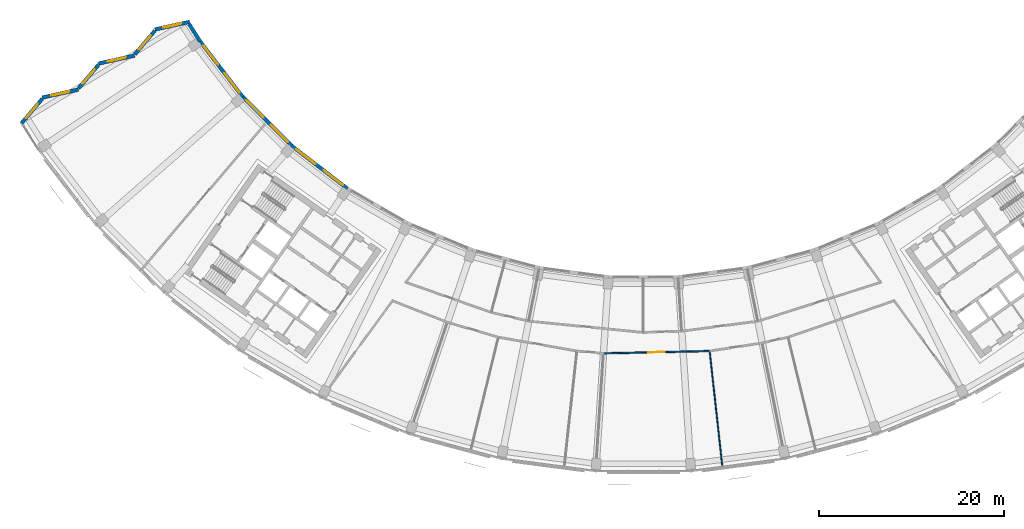
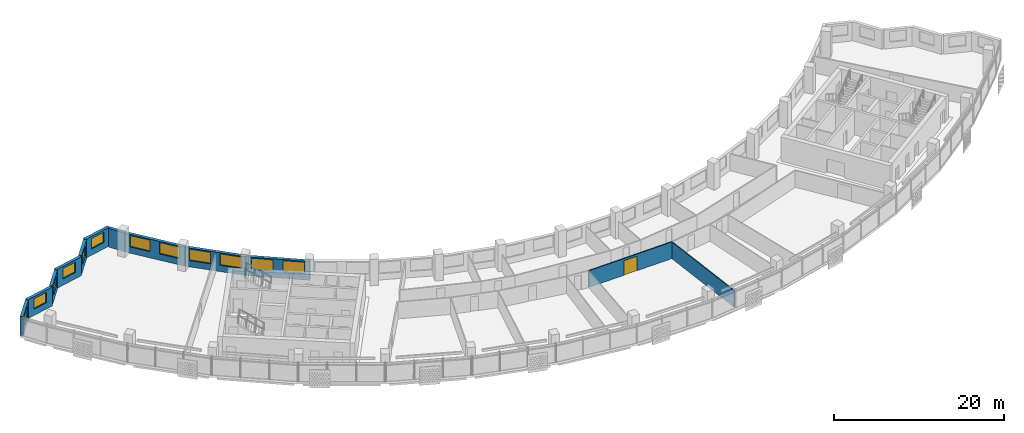
# One storey, part 5 of 28: 12 walls, 12 windows, 1 door, 13 openings.
"""IFC4 building model written with IfcOpenShell, lengths in metres."""

from ifc_helpers import new_model, si_unit, direction, frame, frame_2d, origin, place, context, subcontext, project, spatial, rectangle, extrude, material, layer, layer_set, type_object, element, fill, save


model = new_model("IFC4")

# Units and contexts
model_context = context("Model", 3, precision=1e-05, world=origin(), true_north=direction((0.0, 1.0)))
body_context = subcontext(model_context, "Body", "Model", "MODEL_VIEW")
ifc_project = project(units=[si_unit("LENGTHUNIT", "METRE"), si_unit("AREAUNIT", "SQUARE_METRE"), si_unit("VOLUMEUNIT", "CUBIC_METRE"), si_unit("PLANEANGLEUNIT", "RADIAN"), si_unit("MASSUNIT", "GRAM", prefix="KILO")], contexts=[model_context])

# Site, building, storey
site_placement = place(None, origin())
site = spatial("IfcSite", under=ifc_project, at=site_placement, CompositionType="ELEMENT")
building_placement = place(site_placement, origin())
building = spatial("IfcBuilding", under=site, at=building_placement, Name="Qamariyya Broadcast Tower", CompositionType="ELEMENT")
storey_placement = place(building_placement, frame((0.0, 0.0, 245.5)))
storey = spatial("IfcBuildingStorey", under=building, at=storey_placement, Name="L59", CompositionType="ELEMENT", Elevation=245.5)

# Wall, opening, door
ifc_material_1 = material(Name="Gypsum board partition")
ifc_layer_1 = layer(ifc_material_1, 0.14990234375)
ifc_layer_set_1 = layer_set([ifc_layer_1], Name="Corridor partition 150 EI 60")
wall_type_1 = type_object("IfcWallType", Name="Corridor partition 150 EI 60", PredefinedType="PARTITIONING", material=ifc_layer_set_1)
wall_1_placement = place(storey_placement, frame((7.16162109375, -65.4091796875, 0.0), z_axis=(0.0, 0.0, 1.0), x_axis=(-0.999762348583, -0.021800145758, 0.0)))
wall_1 = element("IfcWall", 1, at=wall_1_placement, inside=storey, type_object=wall_type_1, Name="Partition L59-017", PredefinedType="PARTITIONING", context=body_context, shape_type="SweptSolid", body=[
    extrude(rectangle(XDim=11.4677734375, YDim=0.14990234375, at=frame_2d((5.73388671875, 0.0))), origin(), (0.0, 0.0, 1.0), 2.39990234375),
])
opening_1_placement = place(wall_1_placement, frame((4.833984375, 0.0, 0.0)))
opening_1 = element("IfcOpeningElement", 2, at=opening_1_placement, cuts=wall_1, Name="Opening L59-D05", PredefinedType="OPENING", context=body_context, shape_type="SweptSolid", body=[
    extrude(rectangle(XDim=1.800048828125, YDim=2.10009765625, at=frame_2d((0.89990234375, 1.050048828125))), frame((0.0, 0.0849609375, 0.0), z_axis=(0.0, -1.0, 0.0), x_axis=(1.0, 0.0, 0.0)), (0.0, 0.0, 1.0), 0.169921875),
])
ifc_material_2 = material(Name="Timber fire door leaf", Category="wood")
door_type = type_object("IfcDoorType", Name="Double fire door 1800 x 2100 FD60", OperationType="NOTDEFINED", PredefinedType="DOOR", material=ifc_material_2)
door_placement = place(opening_1_placement, origin())
door = element("IfcDoor", 3, at=door_placement, inside=storey, type_object=door_type, Name="Door L59-D05", OperationType="DOUBLE_DOOR_SINGLE_SWING", OverallHeight=2.10009765625, OverallWidth=1.800048828125, PredefinedType="DOOR", context=body_context, shape_type="SweptSolid", body=[
    extrude(rectangle(XDim=1.800048828125, YDim=2.10009765625, at=frame_2d((0.89990234375, 1.050048828125))), frame((0.0, 0.02490234375, 0.0), z_axis=(0.0, -1.0, 0.0), x_axis=(1.0, 0.0, 0.0)), (0.0, 0.0, 1.0), 0.050048828125),
])
fill(opening_1, door)

# Wall
ifc_material_3 = material(Name="Operable acoustic wall panels")
ifc_layer_2 = layer(ifc_material_3, 0.125)
ifc_layer_set_2 = layer_set([ifc_layer_2], Name="Operable acoustic partition 125")
wall_type_2 = type_object("IfcWallType", Name="Operable acoustic partition 125", PredefinedType="MOVABLE", material=ifc_layer_set_2)
wall_2_placement = place(storey_placement, frame((8.522216796875, -77.835205078125, 0.0), z_axis=(0.0, 0.0, 1.0), x_axis=(-0.108852796, 0.994057880006, 0.0)))
element("IfcWall", 4, at=wall_2_placement, inside=storey, type_object=wall_type_2, Name="Operable partition L59-023", PredefinedType="MOVABLE", context=body_context, shape_type="SweptSolid", body=[
    extrude(rectangle(XDim=12.42529296875, YDim=0.125, at=frame_2d((6.212646484375, 0.0))), origin(), (0.0, 0.0, 1.0), 2.39990234375),
])

# Wall, opening, window
ifc_material_4 = material(Name="Terracotta", Category="masonry")
ifc_layer_3 = layer(ifc_material_4, 0.39990234375)
ifc_layer_set_3 = layer_set([ifc_layer_3], Name="Terracotta clad wall 400")
wall_type_3 = type_object("IfcWallType", Name="Terracotta clad wall 400", PredefinedType="SOLIDWALL", material=ifc_layer_set_3)
wall_3_placement = place(storey_placement, frame((-48.989013671875, -29.860107421875, 0.0), z_axis=(0.0, 0.0, 1.0), x_axis=(-0.976584020969, -0.215136352083, 0.0)))
wall_3 = element("IfcWall", 5, at=wall_3_placement, inside=storey, type_object=wall_type_3, Name="e-wl-L59-capW0", PredefinedType="SOLIDWALL", context=body_context, shape_type="SweptSolid", body=[
    extrude(rectangle(XDim=3.83349609375, YDim=0.39990234375, at=frame_2d((1.916748046875, 0.0))), origin(), (0.0, 0.0, 1.0), 2.699951171875),
])
opening_2_placement = place(wall_3_placement, frame((0.916748046875, 0.0, 0.89990234375)))
opening_2 = element("IfcOpeningElement", 6, at=opening_2_placement, cuts=wall_3, Name="Opening W4", PredefinedType="OPENING", context=body_context, shape_type="SweptSolid", body=[
    extrude(rectangle(XDim=2.0, YDim=1.5, at=frame_2d((1.0, 0.75))), frame((0.0, 0.2099609375, 0.0), z_axis=(0.0, -1.0, 0.0), x_axis=(1.0, 0.0, 0.0)), (0.0, 0.0, 1.0), 0.419921875),
])
ifc_material_5 = material(Name="Clear low-e double glazed unit in aluminium frame", Category="aluminium")
window_type_1 = type_object("IfcWindowType", Name="Horn bay window 2000 x 1500", PartitioningType="SINGLE_PANEL", PredefinedType="WINDOW", material=ifc_material_5)
window_1_placement = place(opening_2_placement, origin())
window_1 = element("IfcWindow", 7, at=window_1_placement, inside=storey, type_object=window_type_1, Name="e-w-L59-capW0", OverallHeight=1.5, OverallWidth=2.0, PartitioningType="SINGLE_PANEL", PredefinedType="WINDOW", context=body_context, shape_type="SweptSolid", body=[
    extrude(rectangle(XDim=2.0, YDim=1.5, at=frame_2d((1.0, 0.75))), frame((0.0, 0.030029296875, 0.0), z_axis=(0.0, -1.0, 0.0), x_axis=(1.0, 0.0, 0.0)), (0.0, 0.0, 1.0), 0.06005859375),
])
fill(opening_2, window_1)

wall_4_placement = place(storey_placement, frame((-52.75537109375, -30.82421875, 0.0), z_axis=(0.0, 0.0, 1.0), x_axis=(-0.645734891086, -0.763561687379, 0.0)))
wall_4 = element("IfcWall", 8, at=wall_4_placement, inside=storey, type_object=wall_type_3, Name="e-wl-L59-capW1", PredefinedType="SOLIDWALL", context=body_context, shape_type="SweptSolid", body=[
    extrude(rectangle(XDim=3.32568359375, YDim=0.39990234375, at=frame_2d((1.662841796875, 0.0))), origin(), (0.0, 0.0, 1.0), 2.699951171875),
])
opening_3_placement = place(wall_4_placement, frame((0.662841796875, 0.0, 0.89990234375)))
opening_3 = element("IfcOpeningElement", 9, at=opening_3_placement, cuts=wall_4, Name="Opening W4", PredefinedType="OPENING", context=body_context, shape_type="SweptSolid", body=[
    extrude(rectangle(XDim=2.0, YDim=1.5, at=frame_2d((1.0, 0.75))), frame((0.0, 0.2099609375, 0.0), z_axis=(0.0, -1.0, 0.0), x_axis=(1.0, 0.0, 0.0)), (0.0, 0.0, 1.0), 0.419921875),
])
window_2_placement = place(opening_3_placement, origin())
window_2 = element("IfcWindow", 10, at=window_2_placement, inside=storey, type_object=window_type_1, Name="e-w-L59-capW1", OverallHeight=1.5, OverallWidth=2.0, PartitioningType="SINGLE_PANEL", PredefinedType="WINDOW", context=body_context, shape_type="SweptSolid", body=[
    extrude(rectangle(XDim=2.0, YDim=1.5, at=frame_2d((1.0, 0.75))), frame((0.0, 0.030029296875, 0.0), z_axis=(0.0, -1.0, 0.0), x_axis=(1.0, 0.0, 0.0)), (0.0, 0.0, 1.0), 0.06005859375),
])
fill(opening_3, window_2)

wall_5_placement = place(storey_placement, frame((-54.925537109375, -33.5029296875, 0.0), z_axis=(0.0, 0.0, 1.0), x_axis=(-0.976551110787, -0.215285689309, 0.0)))
wall_5 = element("IfcWall", 11, at=wall_5_placement, inside=storey, type_object=wall_type_3, Name="e-wl-L59-capW2", PredefinedType="SOLIDWALL", context=body_context, shape_type="SweptSolid", body=[
    extrude(rectangle(XDim=3.97705078125, YDim=0.39990234375, at=frame_2d((1.988525390625, 0.0))), origin(), (0.0, 0.0, 1.0), 2.699951171875),
])
opening_4_placement = place(wall_5_placement, frame((0.988525390625, 0.0, 0.89990234375)))
opening_4 = element("IfcOpeningElement", 12, at=opening_4_placement, cuts=wall_5, Name="Opening W4", PredefinedType="OPENING", context=body_context, shape_type="SweptSolid", body=[
    extrude(rectangle(XDim=2.0, YDim=1.5, at=frame_2d((1.0, 0.75))), frame((0.0, 0.2099609375, 0.0), z_axis=(0.0, -1.0, 0.0), x_axis=(1.0, 0.0, 0.0)), (0.0, 0.0, 1.0), 0.419921875),
])
window_3_placement = place(opening_4_placement, origin())
window_3 = element("IfcWindow", 13, at=window_3_placement, inside=storey, type_object=window_type_1, Name="e-w-L59-capW2", OverallHeight=1.5, OverallWidth=2.0, PartitioningType="SINGLE_PANEL", PredefinedType="WINDOW", context=body_context, shape_type="SweptSolid", body=[
    extrude(rectangle(XDim=2.0, YDim=1.5, at=frame_2d((1.0, 0.75))), frame((0.0, 0.030029296875, 0.0), z_axis=(0.0, -1.0, 0.0), x_axis=(1.0, 0.0, 0.0)), (0.0, 0.0, 1.0), 0.06005859375),
])
fill(opening_4, window_3)

wall_6_placement = place(storey_placement, frame((-58.83203125, -34.498779296875, 0.0), z_axis=(0.0, 0.0, 1.0), x_axis=(-0.645672250882, -0.763614657037, 0.0)))
wall_6 = element("IfcWall", 14, at=wall_6_placement, inside=storey, type_object=wall_type_3, Name="e-wl-L59-capW3", PredefinedType="SOLIDWALL", context=body_context, shape_type="SweptSolid", body=[
    extrude(rectangle(XDim=3.324462890625, YDim=0.39990234375, at=frame_2d((1.662109375, 0.0))), origin(), (0.0, 0.0, 1.0), 2.699951171875),
])
opening_5_placement = place(wall_6_placement, frame((0.662353515625, 0.0, 0.89990234375)))
opening_5 = element("IfcOpeningElement", 15, at=opening_5_placement, cuts=wall_6, Name="Opening W4", PredefinedType="OPENING", context=body_context, shape_type="SweptSolid", body=[
    extrude(rectangle(XDim=2.0, YDim=1.5, at=frame_2d((1.0, 0.75))), frame((0.0, 0.2099609375, 0.0), z_axis=(0.0, -1.0, 0.0), x_axis=(1.0, 0.0, 0.0)), (0.0, 0.0, 1.0), 0.419921875),
])
window_4_placement = place(opening_5_placement, origin())
window_4 = element("IfcWindow", 16, at=window_4_placement, inside=storey, type_object=window_type_1, Name="e-w-L59-capW3", OverallHeight=1.5, OverallWidth=2.0, PartitioningType="SINGLE_PANEL", PredefinedType="WINDOW", context=body_context, shape_type="SweptSolid", body=[
    extrude(rectangle(XDim=2.0, YDim=1.5, at=frame_2d((1.0, 0.75))), frame((0.0, 0.030029296875, 0.0), z_axis=(0.0, -1.0, 0.0), x_axis=(1.0, 0.0, 0.0)), (0.0, 0.0, 1.0), 0.06005859375),
])
fill(opening_5, window_4)

wall_7_placement = place(storey_placement, frame((-61.0009765625, -37.1767578125, 0.0), z_axis=(0.0, 0.0, 1.0), x_axis=(-0.976539527177, -0.215338226661, 0.0)))
wall_7 = element("IfcWall", 17, at=wall_7_placement, inside=storey, type_object=wall_type_3, Name="e-wl-L59-capW4", PredefinedType="SOLIDWALL", context=body_context, shape_type="SweptSolid", body=[
    extrude(rectangle(XDim=3.978271484375, YDim=0.39990234375, at=frame_2d((1.9892578125, 0.0))), origin(), (0.0, 0.0, 1.0), 2.699951171875),
])
opening_6_placement = place(wall_7_placement, frame((0.989013671875, 0.0, 0.89990234375)))
opening_6 = element("IfcOpeningElement", 18, at=opening_6_placement, cuts=wall_7, Name="Opening W4", PredefinedType="OPENING", context=body_context, shape_type="SweptSolid", body=[
    extrude(rectangle(XDim=2.0, YDim=1.5, at=frame_2d((1.0, 0.75))), frame((0.0, 0.2099609375, 0.0), z_axis=(0.0, -1.0, 0.0), x_axis=(1.0, 0.0, 0.0)), (0.0, 0.0, 1.0), 0.419921875),
])
window_5_placement = place(opening_6_placement, origin())
window_5 = element("IfcWindow", 19, at=window_5_placement, inside=storey, type_object=window_type_1, Name="e-w-L59-capW4", OverallHeight=1.5, OverallWidth=2.0, PartitioningType="SINGLE_PANEL", PredefinedType="WINDOW", context=body_context, shape_type="SweptSolid", body=[
    extrude(rectangle(XDim=2.0, YDim=1.5, at=frame_2d((1.0, 0.75))), frame((0.0, 0.030029296875, 0.0), z_axis=(0.0, -1.0, 0.0), x_axis=(1.0, 0.0, 0.0)), (0.0, 0.0, 1.0), 0.06005859375),
])
fill(opening_6, window_5)

wall_8_placement = place(storey_placement, frame((-64.908447265625, -38.1728515625, 0.0), z_axis=(0.0, 0.0, 1.0), x_axis=(-0.645617564516, -0.763660893583, 0.0)))
wall_8 = element("IfcWall", 20, at=wall_8_placement, inside=storey, type_object=wall_type_3, Name="e-wl-L59-capW5", PredefinedType="SOLIDWALL", context=body_context, shape_type="SweptSolid", body=[
    extrude(rectangle(XDim=3.47265625, YDim=0.39990234375, at=frame_2d((1.736328125, 0.0))), origin(), (0.0, 0.0, 1.0), 2.699951171875),
])
opening_7_placement = place(wall_8_placement, frame((0.736083984375, 0.0, 0.89990234375)))
opening_7 = element("IfcOpeningElement", 21, at=opening_7_placement, cuts=wall_8, Name="Opening W4", PredefinedType="OPENING", context=body_context, shape_type="SweptSolid", body=[
    extrude(rectangle(XDim=2.0, YDim=1.5, at=frame_2d((1.0, 0.75))), frame((0.0, 0.2099609375, 0.0), z_axis=(0.0, -1.0, 0.0), x_axis=(1.0, 0.0, 0.0)), (0.0, 0.0, 1.0), 0.419921875),
])
window_6_placement = place(opening_7_placement, origin())
window_6 = element("IfcWindow", 22, at=window_6_placement, inside=storey, type_object=window_type_1, Name="e-w-L59-capW5", OverallHeight=1.5, OverallWidth=2.0, PartitioningType="SINGLE_PANEL", PredefinedType="WINDOW", context=body_context, shape_type="SweptSolid", body=[
    extrude(rectangle(XDim=2.0, YDim=1.5, at=frame_2d((1.0, 0.75))), frame((0.0, 0.030029296875, 0.0), z_axis=(0.0, -1.0, 0.0), x_axis=(1.0, 0.0, 0.0)), (0.0, 0.0, 1.0), 0.06005859375),
])
fill(opening_7, window_6)

# Wall
wall_9_placement = place(storey_placement, frame((-47.8662109375, -31.949462890625, 0.0), z_axis=(0.0, 0.0, 1.0), x_axis=(-0.536592590241, 0.843841449621, 0.0)))
element("IfcWall", 23, at=wall_9_placement, inside=storey, type_object=wall_type_3, Name="e-wl-L59-in00", PredefinedType="SOLIDWALL", context=body_context, shape_type="SweptSolid", body=[
    extrude(rectangle(XDim=2.177978515625, YDim=0.39990234375, at=frame_2d((1.0888671875, 0.0))), origin(), (0.0, 0.0, 1.0), 2.699951171875),
])

# Wall, openings, windows
wall_10_placement = place(storey_placement, frame((-43.25341796875, -37.965576171875, 0.0), z_axis=(0.0, 0.0, 1.0), x_axis=(-0.608758787171, 0.793355367438, 0.0)))
wall_10 = element("IfcWall", 24, at=wall_10_placement, inside=storey, type_object=wall_type_3, Name="e-wl-L59-in10", PredefinedType="SOLIDWALL", context=body_context, shape_type="SweptSolid", body=[
    extrude(rectangle(XDim=7.563720703125, YDim=0.39990234375, at=frame_2d((3.78173828125, 0.0))), origin(), (0.0, 0.0, 1.0), 2.699951171875),
])
opening_8_placement = place(wall_10_placement, frame((4.364501953125, 0.0, 0.89990234375)))
opening_8 = element("IfcOpeningElement", 25, at=opening_8_placement, cuts=wall_10, Name="Opening W1", PredefinedType="OPENING", context=body_context, shape_type="SweptSolid", body=[
    extrude(rectangle(XDim=2.60009765625, YDim=1.64990234375, at=frame_2d((1.300048828125, 0.824951171875))), frame((0.0, 0.2099609375, 0.0), z_axis=(0.0, -1.0, 0.0), x_axis=(1.0, 0.0, 0.0)), (0.0, 0.0, 1.0), 0.419921875),
])
opening_9_placement = place(wall_10_placement, frame((0.613525390625, 0.0, 0.89990234375)))
opening_9 = element("IfcOpeningElement", 26, at=opening_9_placement, cuts=wall_10, Name="Opening W1", PredefinedType="OPENING", context=body_context, shape_type="SweptSolid", body=[
    extrude(rectangle(XDim=2.60009765625, YDim=1.64990234375, at=frame_2d((1.300048828125, 0.824951171875))), frame((0.0, 0.2099609375, 0.0), z_axis=(0.0, -1.0, 0.0), x_axis=(1.0, 0.0, 0.0)), (0.0, 0.0, 1.0), 0.419921875),
])
window_type_2 = type_object("IfcWindowType", Name="Ribbon window 2600 x 1650", PartitioningType="SINGLE_PANEL", PredefinedType="WINDOW", material=ifc_material_5)
window_7_placement = place(opening_8_placement, origin())
window_7 = element("IfcWindow", 27, at=window_7_placement, inside=storey, type_object=window_type_2, Name="e-w-L59-in01-0", OverallHeight=1.64990234375, OverallWidth=2.60009765625, PartitioningType="SINGLE_PANEL", PredefinedType="WINDOW", context=body_context, shape_type="SweptSolid", body=[
    extrude(rectangle(XDim=2.60009765625, YDim=1.64990234375, at=frame_2d((1.300048828125, 0.824951171875))), frame((0.0, 0.030029296875, 0.0), z_axis=(0.0, -1.0, 0.0), x_axis=(1.0, 0.0, 0.0)), (0.0, 0.0, 1.0), 0.06005859375),
])
fill(opening_8, window_7)
window_8_placement = place(opening_9_placement, origin())
window_8 = element("IfcWindow", 28, at=window_8_placement, inside=storey, type_object=window_type_2, Name="e-w-L59-in01-1", OverallHeight=1.64990234375, OverallWidth=2.60009765625, PartitioningType="SINGLE_PANEL", PredefinedType="WINDOW", context=body_context, shape_type="SweptSolid", body=[
    extrude(rectangle(XDim=2.60009765625, YDim=1.64990234375, at=frame_2d((1.300048828125, 0.824951171875))), frame((0.0, 0.030029296875, 0.0), z_axis=(0.0, -1.0, 0.0), x_axis=(1.0, 0.0, 0.0)), (0.0, 0.0, 1.0), 0.06005859375),
])
fill(opening_9, window_8)

wall_11_placement = place(storey_placement, frame((-37.9814453125, -43.23291015625, 0.0), z_axis=(0.0, 0.0, 1.0), x_axis=(-0.707106781187, 0.707106781187, 0.0)))
wall_11 = element("IfcWall", 29, at=wall_11_placement, inside=storey, type_object=wall_type_3, Name="e-wl-L59-in20", PredefinedType="SOLIDWALL", context=body_context, shape_type="SweptSolid", body=[
    extrude(rectangle(XDim=7.4267578125, YDim=0.39990234375, at=frame_2d((3.71337890625, 0.0))), origin(), (0.0, 0.0, 1.0), 2.699951171875),
])
opening_10_placement = place(wall_11_placement, frame((4.28857421875, 0.0, 0.89990234375)))
opening_10 = element("IfcOpeningElement", 30, at=opening_10_placement, cuts=wall_11, Name="Opening W1", PredefinedType="OPENING", context=body_context, shape_type="SweptSolid", body=[
    extrude(rectangle(XDim=2.60009765625, YDim=1.64990234375, at=frame_2d((1.300048828125, 0.824951171875))), frame((0.0, 0.2099609375, 0.0), z_axis=(0.0, -1.0, 0.0), x_axis=(1.0, 0.0, 0.0)), (0.0, 0.0, 1.0), 0.419921875),
])
opening_11_placement = place(wall_11_placement, frame((0.537841796875, 0.0, 0.89990234375)))
opening_11 = element("IfcOpeningElement", 31, at=opening_11_placement, cuts=wall_11, Name="Opening W1", PredefinedType="OPENING", context=body_context, shape_type="SweptSolid", body=[
    extrude(rectangle(XDim=2.60009765625, YDim=1.64990234375, at=frame_2d((1.300048828125, 0.824951171875))), frame((0.0, 0.2099609375, 0.0), z_axis=(0.0, -1.0, 0.0), x_axis=(1.0, 0.0, 0.0)), (0.0, 0.0, 1.0), 0.419921875),
])
window_9_placement = place(opening_10_placement, origin())
window_9 = element("IfcWindow", 32, at=window_9_placement, inside=storey, type_object=window_type_2, Name="e-w-L59-in02-0", OverallHeight=1.64990234375, OverallWidth=2.60009765625, PartitioningType="SINGLE_PANEL", PredefinedType="WINDOW", context=body_context, shape_type="SweptSolid", body=[
    extrude(rectangle(XDim=2.60009765625, YDim=1.64990234375, at=frame_2d((1.300048828125, 0.824951171875))), frame((0.0, 0.030029296875, 0.0), z_axis=(0.0, -1.0, 0.0), x_axis=(1.0, 0.0, 0.0)), (0.0, 0.0, 1.0), 0.06005859375),
])
fill(opening_10, window_9)
window_10_placement = place(opening_11_placement, origin())
window_10 = element("IfcWindow", 33, at=window_10_placement, inside=storey, type_object=window_type_2, Name="e-w-L59-in02-1", OverallHeight=1.64990234375, OverallWidth=2.60009765625, PartitioningType="SINGLE_PANEL", PredefinedType="WINDOW", context=body_context, shape_type="SweptSolid", body=[
    extrude(rectangle(XDim=2.60009765625, YDim=1.64990234375, at=frame_2d((1.300048828125, 0.824951171875))), frame((0.0, 0.030029296875, 0.0), z_axis=(0.0, -1.0, 0.0), x_axis=(1.0, 0.0, 0.0)), (0.0, 0.0, 1.0), 0.06005859375),
])
fill(opening_11, window_10)

wall_12_placement = place(storey_placement, frame((-31.953369140625, -47.86669921875, 0.0), z_axis=(0.0, 0.0, 1.0), x_axis=(-0.793356365089, 0.608757486995, 0.0)))
wall_12 = element("IfcWall", 34, at=wall_12_placement, inside=storey, type_object=wall_type_3, Name="e-wl-L59-in30", PredefinedType="SOLIDWALL", context=body_context, shape_type="SweptSolid", body=[
    extrude(rectangle(XDim=7.578125, YDim=0.39990234375, at=frame_2d((3.7890625, 0.0))), origin(), (0.0, 0.0, 1.0), 2.699951171875),
])
opening_12_placement = place(wall_12_placement, frame((4.364501953125, 0.0, 0.89990234375)))
opening_12 = element("IfcOpeningElement", 35, at=opening_12_placement, cuts=wall_12, Name="Opening W1", PredefinedType="OPENING", context=body_context, shape_type="SweptSolid", body=[
    extrude(rectangle(XDim=2.60009765625, YDim=1.64990234375, at=frame_2d((1.300048828125, 0.824951171875))), frame((0.0, 0.2099609375, 0.0), z_axis=(0.0, -1.0, 0.0), x_axis=(1.0, 0.0, 0.0)), (0.0, 0.0, 1.0), 0.419921875),
])
opening_13_placement = place(wall_12_placement, frame((0.613525390625, 0.0, 0.89990234375)))
opening_13 = element("IfcOpeningElement", 36, at=opening_13_placement, cuts=wall_12, Name="Opening W1", PredefinedType="OPENING", context=body_context, shape_type="SweptSolid", body=[
    extrude(rectangle(XDim=2.60009765625, YDim=1.64990234375, at=frame_2d((1.300048828125, 0.824951171875))), frame((0.0, 0.2099609375, 0.0), z_axis=(0.0, -1.0, 0.0), x_axis=(1.0, 0.0, 0.0)), (0.0, 0.0, 1.0), 0.419921875),
])
window_11_placement = place(opening_12_placement, origin())
window_11 = element("IfcWindow", 37, at=window_11_placement, inside=storey, type_object=window_type_2, Name="e-w-L59-in03-0", OverallHeight=1.64990234375, OverallWidth=2.60009765625, PartitioningType="SINGLE_PANEL", PredefinedType="WINDOW", context=body_context, shape_type="SweptSolid", body=[
    extrude(rectangle(XDim=2.60009765625, YDim=1.64990234375, at=frame_2d((1.300048828125, 0.824951171875))), frame((0.0, 0.030029296875, 0.0), z_axis=(0.0, -1.0, 0.0), x_axis=(1.0, 0.0, 0.0)), (0.0, 0.0, 1.0), 0.06005859375),
])
fill(opening_12, window_11)
window_12_placement = place(opening_13_placement, origin())
window_12 = element("IfcWindow", 38, at=window_12_placement, inside=storey, type_object=window_type_2, Name="e-w-L59-in03-1", OverallHeight=1.64990234375, OverallWidth=2.60009765625, PartitioningType="SINGLE_PANEL", PredefinedType="WINDOW", context=body_context, shape_type="SweptSolid", body=[
    extrude(rectangle(XDim=2.60009765625, YDim=1.64990234375, at=frame_2d((1.300048828125, 0.824951171875))), frame((0.0, 0.030029296875, 0.0), z_axis=(0.0, -1.0, 0.0), x_axis=(1.0, 0.0, 0.0)), (0.0, 0.0, 1.0), 0.06005859375),
])
fill(opening_13, window_12)

save(model, "model.ifc")
